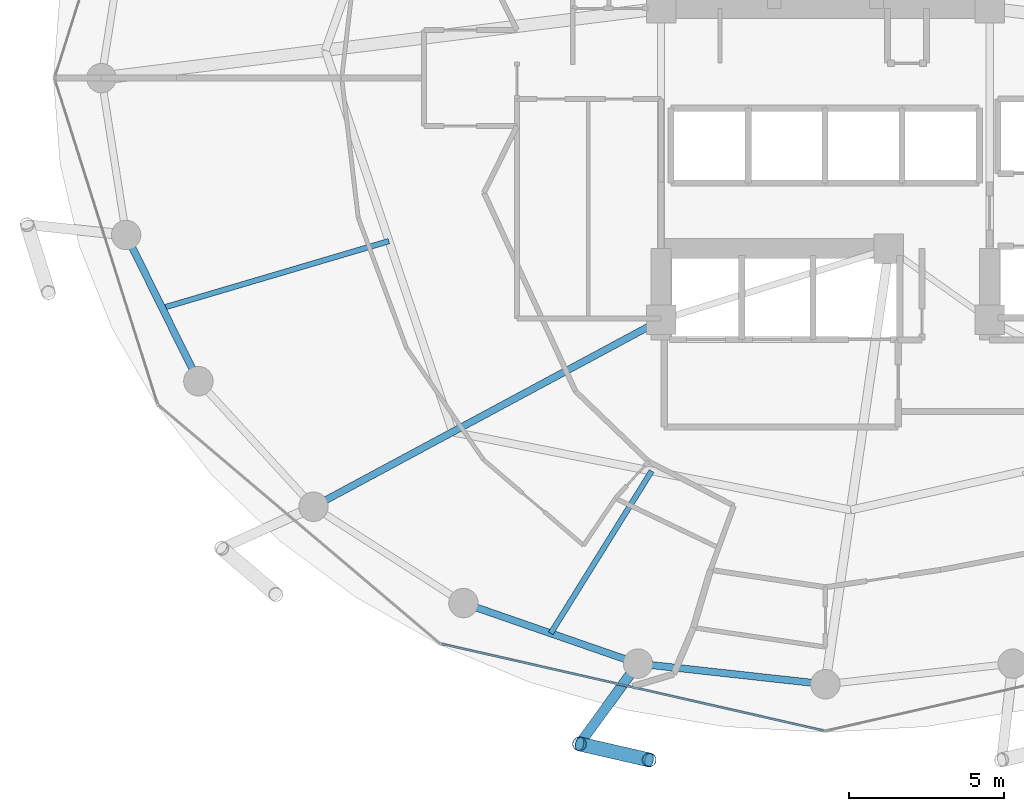
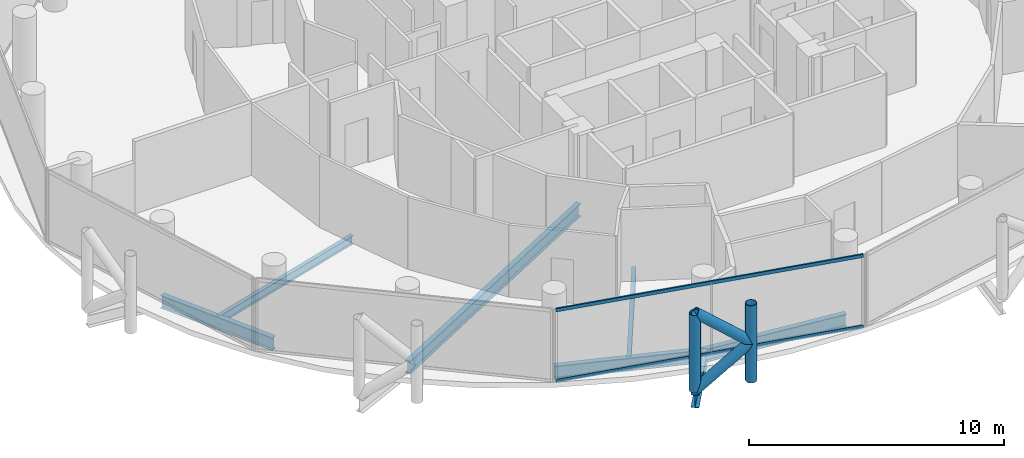
# One storey, part 3 of 26: 7 beams, 6 members, 1 element without a shape of its own.
"""IFC4 building model written with IfcOpenShell, lengths in metres."""

from ifc_helpers import new_model, si_unit, direction, frame, origin, origin_2d, place, context, subcontext, project, spatial, hollow_rectangle, hollow_circle, i_section, extrude, material, layer, layer_set, material_profile, profile_set, type_object, element, aggregate, save


model = new_model("IFC4")

# Units and contexts
model_context = context("Model", 3, precision=1e-05, world=origin(), true_north=direction((0.0, 1.0)))
body_context = subcontext(model_context, "Body", "Model", "MODEL_VIEW")
ifc_project = project(units=[si_unit("LENGTHUNIT", "METRE"), si_unit("AREAUNIT", "SQUARE_METRE"), si_unit("VOLUMEUNIT", "CUBIC_METRE"), si_unit("PLANEANGLEUNIT", "RADIAN"), si_unit("MASSUNIT", "GRAM", prefix="KILO")], contexts=[model_context])

# Site, building, storey
site_placement = place(None, origin())
site = spatial("IfcSite", under=ifc_project, at=site_placement, CompositionType="ELEMENT")
building_placement = place(site_placement, origin())
building = spatial("IfcBuilding", under=site, at=building_placement, Name="Nuhasar Tower", CompositionType="ELEMENT")
storey_placement = place(building_placement, frame((0.0, 0.0, 177.449951171875)))
storey = spatial("IfcBuildingStorey", under=building, at=storey_placement, Name="L43", CompositionType="ELEMENT", Elevation=177.449951171875)

# Beams
ifc_material_1 = material(Name="Steel S355", Category="steel")
ifc_material_profile_1 = material_profile(ifc_material_1, i_section(OverallWidth=0.177978515625, OverallDepth=0.406005859375, WebThickness=0.0078125, FlangeThickness=0.0126953125, at=origin_2d()), Name="W16X40")
ifc_profile_set_1 = profile_set([ifc_material_profile_1], Name="Steel S355")
beam_type_1 = type_object("IfcBeamType", Name="BM-JST-W16X40", PredefinedType="JOIST", material=ifc_profile_set_1)
beam_1_placement = place(storey_placement, frame((33.39697265625, 14.1279296875, -0.452880859375), z_axis=(-0.528139463011, -0.849157645912, 0.0), x_axis=(0.849157645912, -0.528139463011, 0.0)))
element("IfcBeam", 1, at=beam_1_placement, inside=storey, type_object=beam_type_1, Name="L43 Secondary Floor Joist 01", PredefinedType="JOIST", context=body_context, shape_type="SweptSolid", body=[
    extrude(i_section(OverallWidth=0.177978515625, OverallDepth=0.406005859375, WebThickness=0.0078125, FlangeThickness=0.0126953125, at=origin_2d()), origin(), (0.0, 0.0, 1.0), 6.164794921875),
])
beam_2_placement = place(storey_placement, frame((24.922119140625, 21.54296875, -0.452880859375), z_axis=(-0.959013356257, -0.283360869775, 0.0), x_axis=(0.283360869775, -0.959013356257, 0.0)))
element("IfcBeam", 2, at=beam_2_placement, inside=storey, type_object=beam_type_1, Name="L43 Secondary Floor Joist 08", PredefinedType="JOIST", context=body_context, shape_type="SweptSolid", body=[
    extrude(i_section(OverallWidth=0.177978515625, OverallDepth=0.406005859375, WebThickness=0.0078125, FlangeThickness=0.0126953125, at=origin_2d()), origin(), (0.0, 0.0, 1.0), 7.62255859375),
])
ifc_material_profile_2 = material_profile(ifc_material_1, i_section(OverallWidth=0.22900390625, OverallDepth=0.612060546875, WebThickness=0.011962890625, FlangeThickness=0.01953125, at=origin_2d()), Name="W24X84")
ifc_profile_set_2 = profile_set([ifc_material_profile_2], Name="Steel S355")
beam_type_2 = type_object("IfcBeamType", Name="BM-RAD-W24X84", PredefinedType="BEAM", material=ifc_profile_set_2)
beam_3_placement = place(storey_placement, frame((33.699951171875, 19.0, -0.555908203125), z_axis=(-0.880888386928, -0.473324043098, 0.0), x_axis=(0.473324043098, -0.880888386928, 0.0)))
element("IfcBeam", 3, at=beam_3_placement, inside=storey, type_object=beam_type_2, Name="L43 Radial Floor Girder 01", PredefinedType="BEAM", context=body_context, shape_type="SweptSolid", body=[
    extrude(i_section(OverallWidth=0.22900390625, OverallDepth=0.612060546875, WebThickness=0.011962890625, FlangeThickness=0.01953125, at=origin_2d()), origin(), (0.0, 0.0, 1.0), 12.726806640625),
])
ifc_material_profile_3 = material_profile(ifc_material_1, i_section(OverallWidth=0.22998046875, OverallDepth=0.616943359375, WebThickness=0.01318359375, FlangeThickness=0.022216796875, at=origin_2d()), Name="W24X94")
ifc_profile_set_3 = profile_set([ifc_material_profile_3], Name="Steel S355")
beam_type_3 = type_object("IfcBeamType", Name="BM-RING-W24X94", PredefinedType="SPANDREL", material=ifc_profile_set_3)
beam_4_placement = place(storey_placement, frame((16.446044921875, 21.739990234375, -0.558837890625), z_axis=(0.443329327657, -0.896358804966, 0.0), x_axis=(0.896358804966, 0.443329327657, 0.0)))
element("IfcBeam", 4, at=beam_4_placement, inside=storey, type_object=beam_type_3, Name="L43 Perimeter Ring Spandrel 14", PredefinedType="SPANDREL", context=body_context, shape_type="SweptSolid", body=[
    extrude(i_section(OverallWidth=0.22998046875, OverallDepth=0.616943359375, WebThickness=0.01318359375, FlangeThickness=0.022216796875, at=origin_2d()), origin(), (0.0, 0.0, 1.0), 5.26025390625),
])
beam_5_placement = place(storey_placement, frame((27.324951171875, 9.868896484375, -0.558837890625), z_axis=(0.944814057608, -0.327607076458, 0.0), x_axis=(0.327607076458, 0.944814057608, 0.0)))
element("IfcBeam", 5, at=beam_5_placement, inside=storey, type_object=beam_type_3, Name="L43 Perimeter Ring Spandrel 17", PredefinedType="SPANDREL", context=body_context, shape_type="SweptSolid", body=[
    extrude(i_section(OverallWidth=0.22998046875, OverallDepth=0.616943359375, WebThickness=0.01318359375, FlangeThickness=0.022216796875, at=origin_2d()), origin(), (0.0, 0.0, 1.0), 5.9609375),
])
beam_6_placement = place(storey_placement, frame((32.95703125, 7.916015625, -0.558837890625), z_axis=(0.993981289157, -0.109549974015, 0.0), x_axis=(0.109549974015, 0.993981289157, 0.0)))
element("IfcBeam", 6, at=beam_6_placement, inside=storey, type_object=beam_type_3, Name="L43 Perimeter Ring Spandrel 18", PredefinedType="SPANDREL", context=body_context, shape_type="SweptSolid", body=[
    extrude(i_section(OverallWidth=0.22998046875, OverallDepth=0.616943359375, WebThickness=0.01318359375, FlangeThickness=0.022216796875, at=origin_2d()), origin(), (0.0, 0.0, 1.0), 6.07958984375),
])
ifc_material_profile_4 = material_profile(ifc_material_1, i_section(OverallWidth=0.323974609375, OverallDepth=0.611083984375, WebThickness=0.0126953125, FlangeThickness=0.01904296875, at=origin_2d()), Name="W24X104")
ifc_profile_set_4 = profile_set([ifc_material_profile_4], Name="Steel S355")
beam_type_4 = type_object("IfcBeamType", Name="BM-TIE-W24X104", PredefinedType="BEAM", material=ifc_profile_set_4)
beam_7_placement = place(storey_placement, frame((32.95703125, 7.916015625, -0.555908203125), z_axis=(-0.588149050751, -0.808752554309, 0.0), x_axis=(0.808752554309, -0.588149050751, 0.0)))
element("IfcBeam", 7, at=beam_7_placement, inside=storey, type_object=beam_type_4, Name="L43 Exoskeleton Node Tie Beam 09", PredefinedType="BEAM", context=body_context, shape_type="SweptSolid", body=[
    extrude(i_section(OverallWidth=0.323974609375, OverallDepth=0.611083984375, WebThickness=0.0126953125, FlangeThickness=0.01904296875, at=origin_2d()), origin(), (0.0, 0.0, 1.0), 3.205078125),
])

# Curtain wall, members
ifc_material_2 = material(Name="Aluminium 6063-T6", Category="aluminium")
ifc_layer = layer(ifc_material_2, 0.199951171875)
ifc_layer_set = layer_set([ifc_layer], Name="Aluminium 6063-T6")
curtain_wall_type = type_object("IfcCurtainWallType", Name="CW-Z2-HTL", PredefinedType="NOTDEFINED", material=ifc_layer_set)
curtain_wall_placement = place(storey_placement, origin())
curtain_wall = element("IfcCurtainWall", 8, at=curtain_wall_placement, inside=storey, type_object=curtain_wall_type, Name="L43 Unitised Curtain Wall 09", PredefinedType="NOTDEFINED")
ifc_material_profile_5 = material_profile(ifc_material_2, hollow_rectangle(XDim=0.070068359375, YDim=0.159912109375, WallThickness=0.00439453125, at=origin_2d()), Name="CWT-3")
ifc_profile_set_5 = profile_set([ifc_material_profile_5], Name="Aluminium 6063-T6")
member_type_1 = type_object("IfcMemberType", Name="CW-TRN-S3", PredefinedType="USERDEFINED", material=ifc_profile_set_5)
member_1_placement = place(storey_placement, frame((26.63818359375, 8.54638671875, 0.03515625), z_axis=(0.975187615691, -0.221380022142, 0.0), x_axis=(0.221380022142, 0.975187615691, 0.0)))
member_1 = element("IfcMember", 9, at=member_1_placement, type_object=member_type_1, Name="CW-Z2 transom 1.1", ObjectType="TRANSOM", PredefinedType="USERDEFINED", context=body_context, shape_type="SweptSolid", body=[
    extrude(hollow_rectangle(XDim=0.070068359375, YDim=0.159912109375, WallThickness=0.00439453125, at=origin_2d()), origin(), (0.0, 0.0, 1.0), 12.606201171875),
])
member_2_placement = place(storey_placement, frame((26.63818359375, 8.54638671875, 3.4150390625), z_axis=(0.975187615691, -0.221380022142, 0.0), x_axis=(0.221380022142, 0.975187615691, 0.0)))
member_2 = element("IfcMember", 10, at=member_2_placement, type_object=member_type_1, Name="CW-Z2 transom 1.2", ObjectType="TRANSOM", PredefinedType="USERDEFINED", context=body_context, shape_type="SweptSolid", body=[
    extrude(hollow_rectangle(XDim=0.070068359375, YDim=0.159912109375, WallThickness=0.00439453125, at=origin_2d()), origin(), (0.0, 0.0, 1.0), 12.606201171875),
])
aggregate(curtain_wall, [member_1, member_2])

# Members
ifc_material_3 = material(Name="Steel S460", Category="steel")
ifc_material_profile_6 = material_profile(ifc_material_3, hollow_circle(Radius=0.228515625, WallThickness=0.022216796875, at=origin_2d()), Name="HSS457X22.2")
ifc_profile_set_6 = profile_set([ifc_material_profile_6], Name="Steel S460")
member_type_2 = type_object("IfcMemberType", Name="EXO-BRONZE-457", PredefinedType="BRACE", material=ifc_profile_set_6)
for number, where, z_axis, x_axis, name in (
    (11, (31.072021484375, 5.323974609375, 0.0), (0.0, 0.0, 1.0), (1.0, 0.0, 0.0), "L43 Exoskeleton Chord Column EC-09A"),
    (12, (33.31396484375, 4.81005859375, 0.0), (0.0, 0.0, 1.0), (1.0, 0.0, 0.0), "L43 Exoskeleton Chord Column EC-09B"),
):
    element("IfcMember", number, at=place(storey_placement, frame(where, z_axis=z_axis, x_axis=x_axis)), inside=storey, type_object=member_type_2, Name=name, PredefinedType="BRACE", context=body_context, shape_type="SweptSolid", body=[
        extrude(hollow_circle(Radius=0.228515625, WallThickness=0.022216796875, at=origin_2d()), origin(), (0.0, 0.0, 1.0), 3.699951171875),
    ])
member_3_placement = place(storey_placement, frame((31.072021484375, 5.323974609375, 0.0), z_axis=(0.759510488094, -0.174101010284, 0.626763637022), x_axis=(0.223432882746, 0.974719316987, 0.0)))
element("IfcMember", 13, at=member_3_placement, inside=storey, type_object=member_type_2, Name="L43 Bronze Diagrid Brace W1-09", PredefinedType="BRACE", context=body_context, shape_type="SweptSolid", body=[
    extrude(hollow_circle(Radius=0.228515625, WallThickness=0.022216796875, at=origin_2d()), origin(), (0.0, 0.0, 1.0), 2.951904296875),
])
member_4_placement = place(storey_placement, frame((33.31396484375, 4.81005859375, 1.85009765625), z_axis=(-0.759549860492, 0.174110035537, 0.626713415327), x_axis=(-0.223432882746, -0.974719316987, 0.0)))
element("IfcMember", 14, at=member_4_placement, inside=storey, type_object=member_type_2, Name="L43 Bronze Diagrid Brace W2-09", PredefinedType="BRACE", context=body_context, shape_type="SweptSolid", body=[
    extrude(hollow_circle(Radius=0.228515625, WallThickness=0.022216796875, at=origin_2d()), origin(), (0.0, 0.0, 1.0), 2.95166015625),
])

save(model, "model.ifc")
